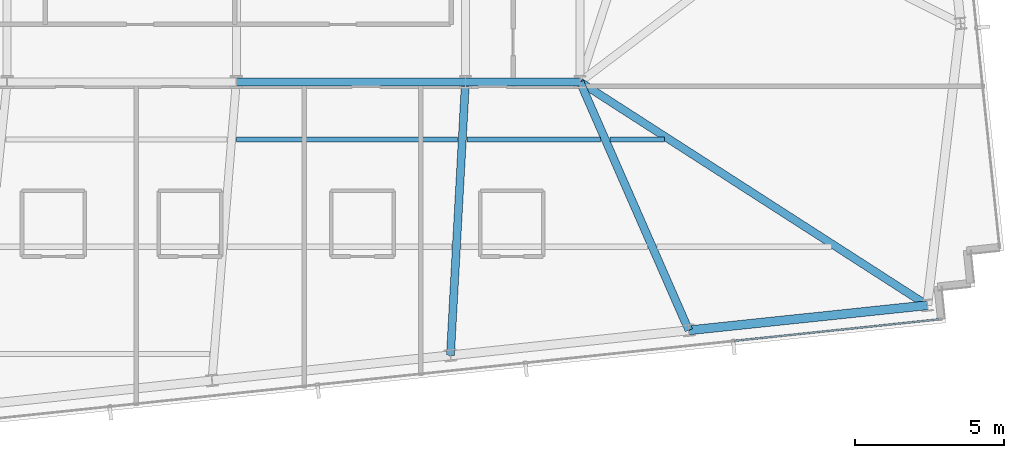
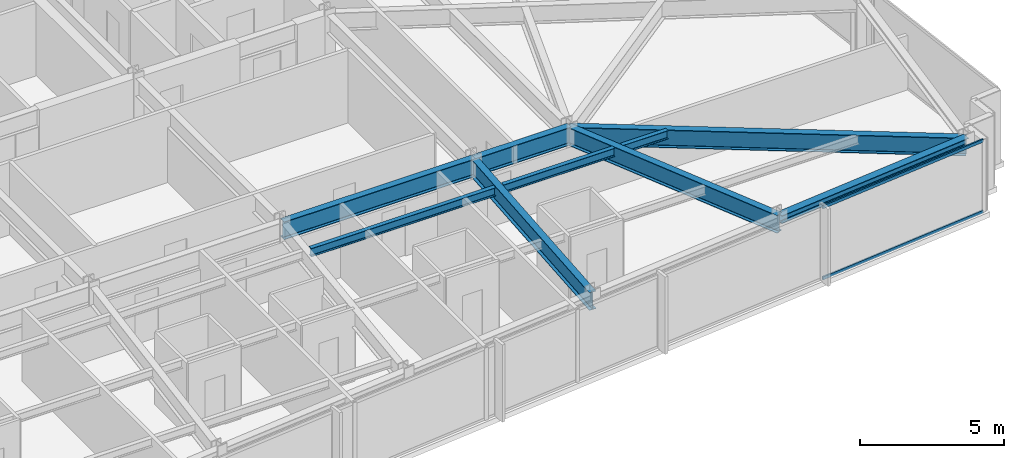
# One storey, part 16 of 33: 9 beams, 2 members, 1 element without a shape of its own.
"""IFC4 building model written with IfcOpenShell, lengths in metres."""

from ifc_helpers import new_model, si_unit, direction, frame, origin, origin_2d, place, context, subcontext, project, spatial, hollow_rectangle, i_section, extrude, material, material_profile, profile_set, type_object, element, aggregate, save


model = new_model("IFC4")

# Units and contexts
model_context = context("Model", 3, precision=1e-05, world=origin(), true_north=direction((0.0, 1.0)))
body_context = subcontext(model_context, "Body", "Model", "MODEL_VIEW")
ifc_project = project(units=[si_unit("LENGTHUNIT", "METRE"), si_unit("AREAUNIT", "SQUARE_METRE"), si_unit("VOLUMEUNIT", "CUBIC_METRE"), si_unit("PLANEANGLEUNIT", "RADIAN"), si_unit("MASSUNIT", "GRAM", prefix="KILO")], contexts=[model_context])

# Site, building, storey
site_placement = place(None, origin())
site = spatial("IfcSite", under=ifc_project, at=site_placement, CompositionType="ELEMENT")
building_placement = place(site_placement, origin())
building = spatial("IfcBuilding", under=site, at=building_placement, Name="Yelkora Congress Tower", CompositionType="ELEMENT")
storey_placement = place(building_placement, frame((0.0, 0.0, 237.5)))
storey = spatial("IfcBuildingStorey", under=building, at=storey_placement, Name="L66", CompositionType="ELEMENT", Elevation=237.5)

# Beams
ifc_material_1 = material(Name="Steel S355J2", Category="steel")
ifc_material_profile_1 = material_profile(ifc_material_1, i_section(OverallWidth=0.26708984375, OverallDepth=0.761962890625, WebThickness=0.014404296875, FlangeThickness=0.021484375, FilletRadius=0.01708984375, at=origin_2d()), Name="IPE 750x173")
ifc_profile_set_1 = profile_set([ifc_material_profile_1], Name="Steel S355J2")
beam_type_1 = type_object("IfcBeamType", Name="BM-GIRD-IPE750", PredefinedType="BEAM", material=ifc_profile_set_1)
beam_1_placement = place(storey_placement, frame((46.080078125, 25.199951171875, 2.698974609375), z_axis=(1.0, 0.0, 0.0), x_axis=(0.0, 1.0, 0.0)))
element("IfcBeam", 1, at=beam_1_placement, inside=storey, type_object=beam_type_1, Name="L66 Spine Grid D Girder 5", PredefinedType="BEAM", context=body_context, shape_type="SweptSolid", body=[
    extrude(i_section(OverallWidth=0.26708984375, OverallDepth=0.761962890625, WebThickness=0.014404296875, FlangeThickness=0.021484375, FilletRadius=0.01708984375, at=origin_2d()), origin(), (0.0, 0.0, 1.0), 7.679931640625),
])
beam_2_placement = place(storey_placement, frame((53.760009765625, 25.199951171875, 2.698974609375), z_axis=(1.0, 0.0, 0.0), x_axis=(0.0, 1.0, 0.0)))
element("IfcBeam", 2, at=beam_2_placement, inside=storey, type_object=beam_type_1, Name="L66 Spine Grid D Girder 6", PredefinedType="BEAM", context=body_context, shape_type="SweptSolid", body=[
    extrude(i_section(OverallWidth=0.26708984375, OverallDepth=0.761962890625, WebThickness=0.014404296875, FlangeThickness=0.021484375, FilletRadius=0.01708984375, at=origin_2d()), origin(), (0.0, 0.0, 1.0), 3.840087890625),
])
beam_3_placement = place(storey_placement, frame((53.25634765625, 16.037353515625, 2.698974609375), z_axis=(0.054886497042, 0.998492600094, 0.0), x_axis=(-0.998492600094, 0.054886497042, 0.0)))
element("IfcBeam", 3, at=beam_3_placement, inside=storey, type_object=beam_type_1, Name="L66 Primary Frame Girder S05", PredefinedType="BEAM", context=body_context, shape_type="SweptSolid", body=[
    extrude(i_section(OverallWidth=0.26708984375, OverallDepth=0.761962890625, WebThickness=0.014404296875, FlangeThickness=0.021484375, FilletRadius=0.01708984375, at=origin_2d()), origin(), (0.0, 0.0, 1.0), 9.176513671875),
])
beam_4_placement = place(storey_placement, frame((61.24560546875, 16.877197265625, 2.698974609375), z_axis=(-0.401216289608, 0.915983345347, 0.0), x_axis=(-0.915983345347, -0.401216289608, 0.0)))
element("IfcBeam", 4, at=beam_4_placement, inside=storey, type_object=beam_type_1, Name="L66 Primary Frame Girder S06", PredefinedType="BEAM", context=body_context, shape_type="SweptSolid", body=[
    extrude(i_section(OverallWidth=0.26708984375, OverallDepth=0.761962890625, WebThickness=0.014404296875, FlangeThickness=0.021484375, FilletRadius=0.01708984375, at=origin_2d()), origin(), (0.0, 0.0, 1.0), 9.086181640625),
])
beam_5_placement = place(storey_placement, frame((69.235107421875, 17.716796875, 2.698974609375), z_axis=(-0.841063201017, 0.54093686498, 0.0), x_axis=(-0.54093686498, -0.841063201017, 0.0)))
element("IfcBeam", 5, at=beam_5_placement, inside=storey, type_object=beam_type_1, Name="L66 Primary Frame Girder S07", PredefinedType="BEAM", context=body_context, shape_type="SweptSolid", body=[
    extrude(i_section(OverallWidth=0.26708984375, OverallDepth=0.761962890625, WebThickness=0.014404296875, FlangeThickness=0.021484375, FilletRadius=0.01708984375, at=origin_2d()), origin(), (0.0, 0.0, 1.0), 13.833740234375),
])
ifc_material_profile_2 = material_profile(ifc_material_1, i_section(OverallWidth=0.169921875, OverallDepth=0.360107421875, WebThickness=0.008056640625, FlangeThickness=0.0126953125, FilletRadius=0.01806640625, at=origin_2d()), Name="IPE 360")
ifc_profile_set_2 = profile_set([ifc_material_profile_2], Name="Steel S355J2")
beam_type_2 = type_object("IfcBeamType", Name="BM-JOIST-IPE360", PredefinedType="JOIST", material=ifc_profile_set_2)
beam_6_placement = place(storey_placement, frame((46.083740234375, 23.278564453125, 2.89990234375), z_axis=(1.0, 0.0, 0.0), x_axis=(0.0, 1.0, 0.0)))
element("IfcBeam", 6, at=beam_6_placement, inside=storey, type_object=beam_type_2, Name="L66 Composite Floor Joist 12", PredefinedType="JOIST", context=body_context, shape_type="SweptSolid", body=[
    extrude(i_section(OverallWidth=0.169921875, OverallDepth=0.360107421875, WebThickness=0.008056640625, FlangeThickness=0.0126953125, FilletRadius=0.01806640625, at=origin_2d()), origin(), (0.0, 0.0, 1.0), 7.41064453125),
])
beam_7_placement = place(storey_placement, frame((53.814453125, 23.278564453125, 2.89990234375), z_axis=(1.0, 0.0, 0.0), x_axis=(0.0, 1.0, 0.0)))
element("IfcBeam", 7, at=beam_7_placement, inside=storey, type_object=beam_type_2, Name="L66 Composite Floor Joist 13", PredefinedType="JOIST", context=body_context, shape_type="SweptSolid", body=[
    extrude(i_section(OverallWidth=0.169921875, OverallDepth=0.360107421875, WebThickness=0.008056640625, FlangeThickness=0.0126953125, FilletRadius=0.01806640625, at=origin_2d()), origin(), (0.0, 0.0, 1.0), 4.46728515625),
])
beam_8_placement = place(storey_placement, frame((58.601806640625, 23.278564453125, 2.89990234375), z_axis=(1.0, 0.0, 0.0), x_axis=(0.0, 1.0, 0.0)))
element("IfcBeam", 8, at=beam_8_placement, inside=storey, type_object=beam_type_2, Name="L66 Composite Floor Joist 14", PredefinedType="JOIST", context=body_context, shape_type="SweptSolid", body=[
    extrude(i_section(OverallWidth=0.169921875, OverallDepth=0.360107421875, WebThickness=0.008056640625, FlangeThickness=0.0126953125, FilletRadius=0.01806640625, at=origin_2d()), origin(), (0.0, 0.0, 1.0), 1.82568359375),
])
ifc_material_profile_3 = material_profile(ifc_material_1, i_section(OverallWidth=0.300048828125, OverallDepth=0.340087890625, WebThickness=0.011962890625, FlangeThickness=0.021484375, FilletRadius=0.027099609375, at=origin_2d()), Name="HEB 340")
ifc_profile_set_3 = profile_set([ifc_material_profile_3], Name="Steel S355J2")
beam_type_3 = type_object("IfcBeamType", Name="BM-SPAN-HEB340", PredefinedType="SPANDREL", material=ifc_profile_set_3)
beam_9_placement = place(storey_placement, frame((61.24560546875, 16.877197265625, 2.909912109375), z_axis=(0.99452358891, 0.104512349038, 0.0), x_axis=(-0.104512349038, 0.99452358891, 0.0)))
element("IfcBeam", 9, at=beam_9_placement, inside=storey, type_object=beam_type_3, Name="L66 Perimeter Beam 8", PredefinedType="SPANDREL", context=body_context, shape_type="SweptSolid", body=[
    extrude(i_section(OverallWidth=0.300048828125, OverallDepth=0.340087890625, WebThickness=0.011962890625, FlangeThickness=0.021484375, FilletRadius=0.027099609375, at=origin_2d()), origin(), (0.0, 0.0, 1.0), 8.033447265625),
])

# Curtain wall, members
ifc_material_2 = material(Name="Anodised aluminium and insulated glass", Category="aluminium")
curtain_wall_type = type_object("IfcCurtainWallType", Name="CW-SYS-B4", PredefinedType="NOTDEFINED", material=ifc_material_2)
curtain_wall_placement = place(storey_placement, origin())
curtain_wall = element("IfcCurtainWall", 10, at=curtain_wall_placement, inside=storey, type_object=curtain_wall_type, Name="L66 Unitised Curtain Wall 20", PredefinedType="NOTDEFINED")
ifc_material_3 = material(Name="Anodised aluminium 6063-T6", Category="aluminium")
ifc_material_profile_4 = material_profile(ifc_material_3, hollow_rectangle(XDim=0.06005859375, YDim=0.1298828125, WallThickness=0.00390625, at=origin_2d()), Name="ALU 60x130x4")
ifc_profile_set_4 = profile_set([ifc_material_profile_4], Name="Anodised aluminium 6063-T6")
member_type = type_object("IfcMemberType", Name="MEM-TR-B4", PredefinedType="USERDEFINED", material=ifc_profile_set_4)
member_1_placement = place(storey_placement, frame((69.63134765625, 17.24560546875, 0.030029296875), z_axis=(-0.994523648539, -0.104511781616, 0.0), x_axis=(0.104511781616, -0.994523648539, 0.0)))
member_1 = element("IfcMember", 11, at=member_1_placement, type_object=member_type, Name="CW-B4 transom 1.1", ObjectType="TRANSOM", PredefinedType="USERDEFINED", context=body_context, shape_type="SweptSolid", body=[
    extrude(hollow_rectangle(XDim=0.06005859375, YDim=0.1298828125, WallThickness=0.00390625, at=origin_2d()), origin(), (0.0, 0.0, 1.0), 6.9052734375),
])
member_2_placement = place(storey_placement, frame((69.63134765625, 17.24560546875, 3.050048828125), z_axis=(-0.994523648539, -0.104511781616, 0.0), x_axis=(0.104511781616, -0.994523648539, 0.0)))
member_2 = element("IfcMember", 12, at=member_2_placement, type_object=member_type, Name="CW-B4 transom 1.2", ObjectType="TRANSOM", PredefinedType="USERDEFINED", context=body_context, shape_type="SweptSolid", body=[
    extrude(hollow_rectangle(XDim=0.06005859375, YDim=0.1298828125, WallThickness=0.00390625, at=origin_2d()), origin(), (0.0, 0.0, 1.0), 6.9052734375),
])
aggregate(curtain_wall, [member_1, member_2])

save(model, "model.ifc")
